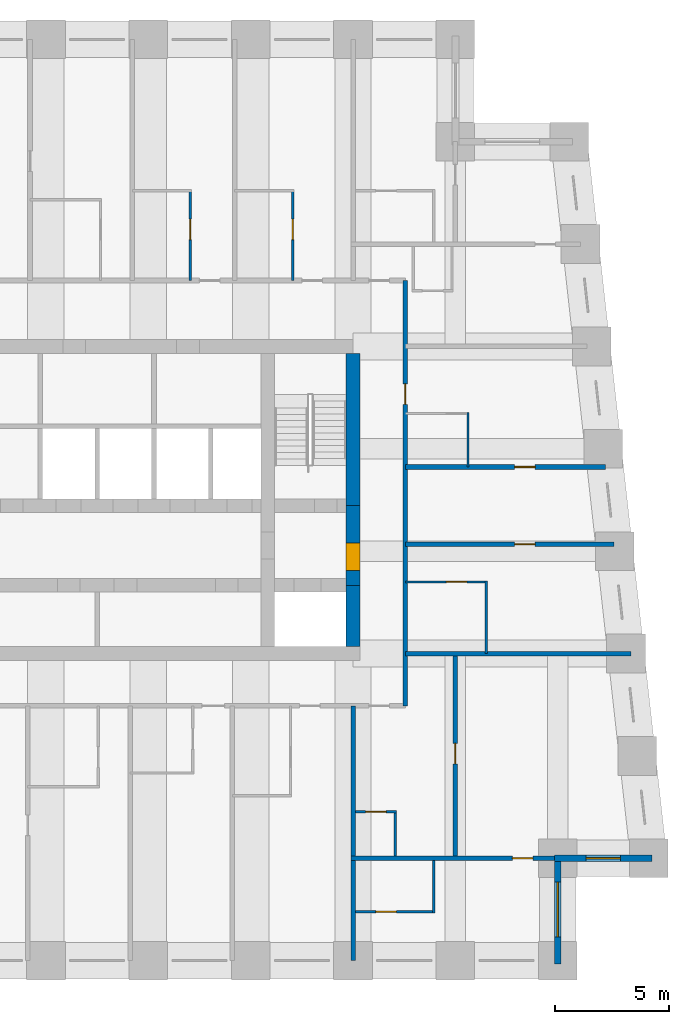
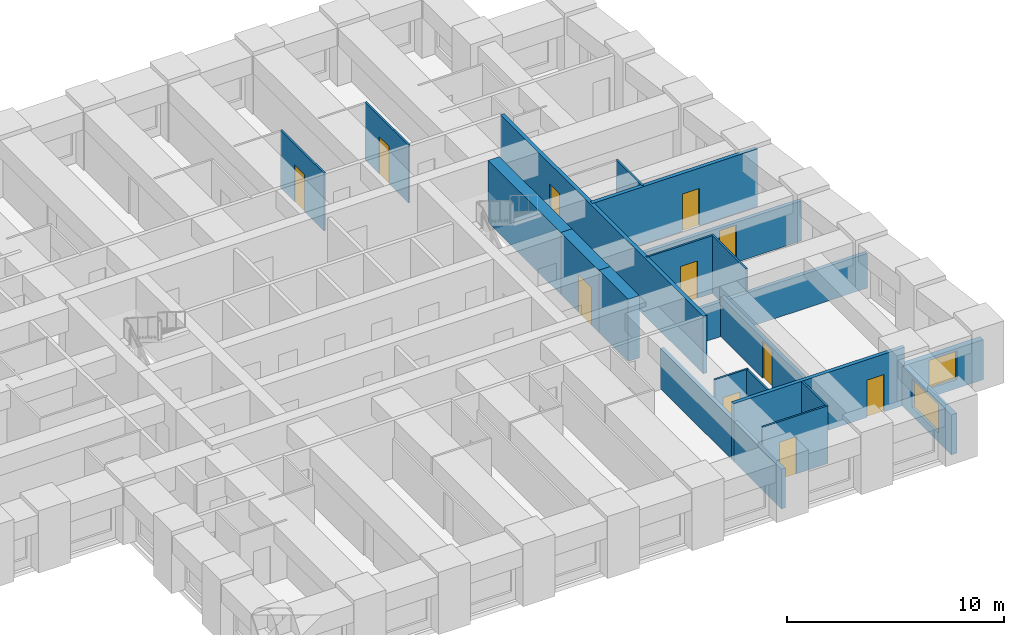
# One storey, part 5 of 8: 21 walls, 11 doors, 2 windows, 13 openings.
"""IFC4 building model written with IfcOpenShell, lengths in metres."""

from ifc_helpers import new_model, si_unit, direction, frame, frame_2d, origin, place, context, subcontext, project, spatial, rectangle, extrude, material, layer, layer_set, type_object, element, fill, save


model = new_model("IFC4")

# Units and contexts
model_context = context("Model", 3, precision=1e-05, world=origin(), true_north=direction((0.0, 1.0)))
body_context = subcontext(model_context, "Body", "Model", "MODEL_VIEW")
ifc_project = project(units=[si_unit("LENGTHUNIT", "METRE"), si_unit("AREAUNIT", "SQUARE_METRE"), si_unit("VOLUMEUNIT", "CUBIC_METRE"), si_unit("PLANEANGLEUNIT", "RADIAN"), si_unit("MASSUNIT", "GRAM", prefix="KILO")], contexts=[model_context])

# Site, building, storey
site_placement = place(None, origin())
site = spatial("IfcSite", under=ifc_project, at=site_placement, CompositionType="ELEMENT")
building_placement = place(site_placement, origin())
building = spatial("IfcBuilding", under=site, at=building_placement, Name="Kilele Tower Hotel", CompositionType="ELEMENT")
storey_placement = place(building_placement, frame((0.0, 0.0, 179.89990234375)))
storey = spatial("IfcBuildingStorey", under=building, at=storey_placement, Name="L46", CompositionType="ELEMENT", Elevation=179.89990234375)

# Wall
ifc_material_1 = material(Name="Moisture-resistant board")
ifc_layer_1 = layer(ifc_material_1, 0.10009765625)
ifc_layer_set_1 = layer_set([ifc_layer_1], Name="Moisture-resistant board")
wall_type_1 = type_object("IfcWallType", Name="Bathroom partition 100", PredefinedType="PLUMBINGWALL", material=ifc_layer_set_1)
wall_1_placement = place(storey_placement, frame((41.85009765625, 13.5, 0.0), z_axis=(0.0, 0.0, 1.0), x_axis=(0.0, 1.0, 0.0)))
element("IfcWall", 1, at=wall_1_placement, inside=storey, type_object=wall_type_1, Name="Bathroom partition 100 L46", PredefinedType="PLUMBINGWALL", context=body_context, shape_type="SweptSolid", body=[
    extrude(rectangle(XDim=3.199951171875, YDim=0.10009765625, at=frame_2d((1.60009765625, 0.0))), origin(), (0.0, 0.0, 1.0), 3.25),
])

# Wall, opening, door
wall_2_placement = place(storey_placement, frame((38.300048828125, 16.64990234375, 0.0), z_axis=(0.0, 0.0, 1.0), x_axis=(1.0, 0.0, 0.0)))
wall_2 = element("IfcWall", 2, at=wall_2_placement, inside=storey, type_object=wall_type_1, Name="Bathroom partition 100 L46", PredefinedType="PLUMBINGWALL", context=body_context, shape_type="SweptSolid", body=[
    extrude(rectangle(XDim=3.599853515625, YDim=0.10009765625, at=frame_2d((1.7998046875, 0.0))), origin(), (0.0, 0.0, 1.0), 3.25),
])
opening_1_placement = place(wall_2_placement, frame((1.800048828125, 0.0, 0.0)))
opening_1 = element("IfcOpeningElement", 3, at=opening_1_placement, cuts=wall_2, Name="Opening D2A", PredefinedType="OPENING", context=body_context, shape_type="SweptSolid", body=[
    extrude(rectangle(XDim=0.89990234375, YDim=2.10009765625, at=frame_2d((0.449951171875, 1.050048828125))), frame((0.0, 0.06005859375, 0.0), z_axis=(0.0, -1.0, 0.0), x_axis=(1.0, 0.0, 0.0)), (0.0, 0.0, 1.0), 0.1201171875),
])
ifc_material_2 = material(Name="Timber door leaf in hardwood frame", Category="wood")
door_type_1 = type_object("IfcDoorType", Name="Bathroom door 900", OperationType="SINGLE_SWING_LEFT", PredefinedType="DOOR", material=ifc_material_2)
door_1_placement = place(opening_1_placement, origin())
door_1 = element("IfcDoor", 4, at=door_1_placement, inside=storey, type_object=door_type_1, Name="Bathroom door 4606B", OperationType="SINGLE_SWING_RIGHT", OverallHeight=2.10009765625, OverallWidth=0.89990234375, PredefinedType="DOOR", context=body_context, shape_type="SweptSolid", body=[
    extrude(rectangle(XDim=0.89990234375, YDim=2.10009765625, at=frame_2d((0.449951171875, 1.050048828125))), frame((0.0, 0.02490234375, 0.0), z_axis=(0.0, -1.0, 0.0), x_axis=(1.0, 0.0, 0.0)), (0.0, 0.0, 1.0), 0.050048828125),
])
fill(opening_1, door_1)

# Wall
wall_3_placement = place(storey_placement, frame((41.050048828125, 21.699951171875, 0.0), z_axis=(0.0, 0.0, 1.0), x_axis=(0.0, 1.0, 0.0)))
element("IfcWall", 5, at=wall_3_placement, inside=storey, type_object=wall_type_1, Name="Bathroom partition 100 L46", PredefinedType="PLUMBINGWALL", context=body_context, shape_type="SweptSolid", body=[
    extrude(rectangle(XDim=2.400146484375, YDim=0.10009765625, at=frame_2d((1.2001953125, 0.0))), origin(), (0.0, 0.0, 1.0), 3.25),
])

# Wall, opening, door
wall_4_placement = place(storey_placement, frame((28.85009765625, 29.89990234375, 0.0), z_axis=(0.0, 0.0, 1.0), x_axis=(0.0, 1.0, 0.0)))
wall_4 = element("IfcWall", 6, at=wall_4_placement, inside=storey, type_object=wall_type_1, Name="Bathroom partition 100 L46", PredefinedType="PLUMBINGWALL", context=body_context, shape_type="SweptSolid", body=[
    extrude(rectangle(XDim=4.0, YDim=0.10009765625, at=frame_2d((2.0, 0.0))), origin(), (0.0, 0.0, 1.0), 3.25),
])
opening_2_placement = place(wall_4_placement, frame((2.699951171875, 0.0, 0.0), z_axis=(0.0, 0.0, 1.0), x_axis=(-1.0, 0.0, 0.0)))
opening_2 = element("IfcOpeningElement", 7, at=opening_2_placement, cuts=wall_4, Name="Opening D2A", PredefinedType="OPENING", context=body_context, shape_type="SweptSolid", body=[
    extrude(rectangle(XDim=0.89990234375, YDim=2.10009765625, at=frame_2d((0.449951171875, 1.050048828125))), frame((0.0, 0.06005859375, 0.0), z_axis=(0.0, -1.0, 0.0), x_axis=(1.0, 0.0, 0.0)), (0.0, 0.0, 1.0), 0.1201171875),
])
door_2_placement = place(opening_2_placement, origin())
door_2 = element("IfcDoor", 8, at=door_2_placement, inside=storey, type_object=door_type_1, Name="Bathroom door 4612B", OperationType="SINGLE_SWING_LEFT", OverallHeight=2.10009765625, OverallWidth=0.89990234375, PredefinedType="DOOR", context=body_context, shape_type="SweptSolid", body=[
    extrude(rectangle(XDim=0.89990234375, YDim=2.10009765625, at=frame_2d((0.449951171875, 1.050048828125))), frame((0.0, 0.02490234375, 0.0), z_axis=(0.0, -1.0, 0.0), x_axis=(1.0, 0.0, 0.0)), (0.0, 0.0, 1.0), 0.050048828125),
])
fill(opening_2, door_2)

wall_5_placement = place(storey_placement, frame((33.35009765625, 29.89990234375, 0.0), z_axis=(0.0, 0.0, 1.0), x_axis=(0.0, 1.0, 0.0)))
wall_5 = element("IfcWall", 9, at=wall_5_placement, inside=storey, type_object=wall_type_1, Name="Bathroom partition 100 L46", PredefinedType="PLUMBINGWALL", context=body_context, shape_type="SweptSolid", body=[
    extrude(rectangle(XDim=4.0, YDim=0.10009765625, at=frame_2d((2.0, 0.0))), origin(), (0.0, 0.0, 1.0), 3.25),
])
opening_3_placement = place(wall_5_placement, frame((2.699951171875, 0.0, 0.0), z_axis=(0.0, 0.0, 1.0), x_axis=(-1.0, 0.0, 0.0)))
opening_3 = element("IfcOpeningElement", 10, at=opening_3_placement, cuts=wall_5, Name="Opening D2A", PredefinedType="OPENING", context=body_context, shape_type="SweptSolid", body=[
    extrude(rectangle(XDim=0.89990234375, YDim=2.10009765625, at=frame_2d((0.449951171875, 1.050048828125))), frame((0.0, 0.06005859375, 0.0), z_axis=(0.0, -1.0, 0.0), x_axis=(1.0, 0.0, 0.0)), (0.0, 0.0, 1.0), 0.1201171875),
])
door_3_placement = place(opening_3_placement, origin())
door_3 = element("IfcDoor", 11, at=door_3_placement, inside=storey, type_object=door_type_1, Name="Bathroom door 4613B", OperationType="SINGLE_SWING_LEFT", OverallHeight=2.10009765625, OverallWidth=0.89990234375, PredefinedType="DOOR", context=body_context, shape_type="SweptSolid", body=[
    extrude(rectangle(XDim=0.89990234375, YDim=2.10009765625, at=frame_2d((0.449951171875, 1.050048828125))), frame((0.0, 0.02490234375, 0.0), z_axis=(0.0, -1.0, 0.0), x_axis=(1.0, 0.0, 0.0)), (0.0, 0.0, 1.0), 0.050048828125),
])
fill(opening_3, door_3)

# Wall
wall_6_placement = place(storey_placement, frame((37.85009765625, 4.60009765625, 0.0), z_axis=(0.0, 0.0, 1.0), x_axis=(0.0, 1.0, 0.0)))
element("IfcWall", 12, at=wall_6_placement, inside=storey, type_object=wall_type_1, Name="Bathroom partition 100 L46", PredefinedType="PLUMBINGWALL", context=body_context, shape_type="SweptSolid", body=[
    extrude(rectangle(XDim=2.0, YDim=0.10009765625, at=frame_2d((1.0, 0.0))), origin(), (0.0, 0.0, 1.0), 3.25),
])

# Wall, opening, door
wall_7_placement = place(storey_placement, frame((36.10009765625, 6.550048828125, 0.0), z_axis=(0.0, 0.0, 1.0), x_axis=(1.0, 0.0, 0.0)))
wall_7 = element("IfcWall", 13, at=wall_7_placement, inside=storey, type_object=wall_type_1, Name="Bathroom partition 100 L46", PredefinedType="PLUMBINGWALL", context=body_context, shape_type="SweptSolid", body=[
    extrude(rectangle(XDim=1.7998046875, YDim=0.10009765625, at=frame_2d((0.89990234375, 0.0))), origin(), (0.0, 0.0, 1.0), 3.25),
])
opening_4_placement = place(wall_7_placement, frame((0.449951171875, 0.0, 0.0)))
opening_4 = element("IfcOpeningElement", 14, at=opening_4_placement, cuts=wall_7, Name="Opening D2A", PredefinedType="OPENING", context=body_context, shape_type="SweptSolid", body=[
    extrude(rectangle(XDim=0.89990234375, YDim=2.10009765625, at=frame_2d((0.449951171875, 1.050048828125))), frame((0.0, 0.06005859375, 0.0), z_axis=(0.0, -1.0, 0.0), x_axis=(1.0, 0.0, 0.0)), (0.0, 0.0, 1.0), 0.1201171875),
])
door_4_placement = place(opening_4_placement, origin())
door_4 = element("IfcDoor", 15, at=door_4_placement, inside=storey, type_object=door_type_1, Name="Bathroom door 4619P", OperationType="SINGLE_SWING_LEFT", OverallHeight=2.10009765625, OverallWidth=0.89990234375, PredefinedType="DOOR", context=body_context, shape_type="SweptSolid", body=[
    extrude(rectangle(XDim=0.89990234375, YDim=2.10009765625, at=frame_2d((0.449951171875, 1.050048828125))), frame((0.0, 0.02490234375, 0.0), z_axis=(0.0, -1.0, 0.0), x_axis=(1.0, 0.0, 0.0)), (0.0, 0.0, 1.0), 0.050048828125),
])
fill(opening_4, door_4)

# Wall
wall_8_placement = place(storey_placement, frame((39.550048828125, 4.39990234375, 0.0), z_axis=(0.0, 0.0, 1.0), x_axis=(0.0, -1.0, 0.0)))
element("IfcWall", 16, at=wall_8_placement, inside=storey, type_object=wall_type_1, Name="Bathroom partition 100 L46", PredefinedType="PLUMBINGWALL", context=body_context, shape_type="SweptSolid", body=[
    extrude(rectangle(XDim=2.2998046875, YDim=0.10009765625, at=frame_2d((1.14990234375, 0.0))), origin(), (0.0, 0.0, 1.0), 3.25),
])

# Wall, opening, door
wall_9_placement = place(storey_placement, frame((36.10009765625, 2.14990234375, 0.0), z_axis=(0.0, 0.0, 1.0), x_axis=(1.0, 0.0, 0.0)))
wall_9 = element("IfcWall", 17, at=wall_9_placement, inside=storey, type_object=wall_type_1, Name="Bathroom partition 100 L46", PredefinedType="PLUMBINGWALL", context=body_context, shape_type="SweptSolid", body=[
    extrude(rectangle(XDim=3.5, YDim=0.10009765625, at=frame_2d((1.75, 0.0))), origin(), (0.0, 0.0, 1.0), 3.25),
])
opening_5_placement = place(wall_9_placement, frame((1.7998046875, 0.0, 0.0), z_axis=(0.0, 0.0, 1.0), x_axis=(-1.0, 0.0, 0.0)))
opening_5 = element("IfcOpeningElement", 18, at=opening_5_placement, cuts=wall_9, Name="Opening D2A", PredefinedType="OPENING", context=body_context, shape_type="SweptSolid", body=[
    extrude(rectangle(XDim=0.89990234375, YDim=2.10009765625, at=frame_2d((0.449951171875, 1.050048828125))), frame((0.0, 0.06005859375, 0.0), z_axis=(0.0, -1.0, 0.0), x_axis=(1.0, 0.0, 0.0)), (0.0, 0.0, 1.0), 0.1201171875),
])
door_5_placement = place(opening_5_placement, origin())
door_5 = element("IfcDoor", 19, at=door_5_placement, inside=storey, type_object=door_type_1, Name="Bathroom door 4621B", OperationType="SINGLE_SWING_RIGHT", OverallHeight=2.10009765625, OverallWidth=0.89990234375, PredefinedType="DOOR", context=body_context, shape_type="SweptSolid", body=[
    extrude(rectangle(XDim=0.89990234375, YDim=2.10009765625, at=frame_2d((0.449951171875, 1.050048828125))), frame((0.0, 0.02490234375, 0.0), z_axis=(0.0, -1.0, 0.0), x_axis=(1.0, 0.0, 0.0)), (0.0, 0.0, 1.0), 0.050048828125),
])
fill(opening_5, door_5)

# Wall
ifc_material_3 = material(Name="Concrete C70/85", Category="concrete")
ifc_layer_2 = layer(ifc_material_3, 0.60009765625)
ifc_layer_set_2 = layer_set([ifc_layer_2], Name="Concrete C70/85")
wall_type_2 = type_object("IfcWallType", Name="Core wall 600 C70/85", PredefinedType="SHEAR", material=ifc_layer_set_2)
wall_10_placement = place(storey_placement, frame((36.0, 13.800048828125, 0.0), z_axis=(0.0, 0.0, 1.0), x_axis=(0.0, 1.0, 0.0)))
element("IfcWall", 20, at=wall_10_placement, inside=storey, type_object=wall_type_2, Name="Core wall E1 L46", PredefinedType="SHEAR", context=body_context, shape_type="SweptSolid", body=[
    extrude(rectangle(XDim=2.699951171875, YDim=0.60009765625, at=frame_2d((1.35009765625, 0.0))), origin(), (0.0, 0.0, 1.0), 3.5),
])

# Wall, opening, door
wall_11_placement = place(storey_placement, frame((36.0, 16.5, 0.0), z_axis=(0.0, 0.0, 1.0), x_axis=(0.0, 1.0, 0.0)))
wall_11 = element("IfcWall", 21, at=wall_11_placement, inside=storey, type_object=wall_type_2, Name="Core wall E2 L46", PredefinedType="SHEAR", context=body_context, shape_type="SweptSolid", body=[
    extrude(rectangle(XDim=3.5, YDim=0.60009765625, at=frame_2d((1.75, 0.0))), origin(), (0.0, 0.0, 1.0), 3.5),
])
opening_6_placement = place(wall_11_placement, frame((0.64990234375, 0.0, 0.0)))
opening_6 = element("IfcOpeningElement", 22, at=opening_6_placement, cuts=wall_11, Name="Opening D4", PredefinedType="OPENING", context=body_context, shape_type="SweptSolid", body=[
    extrude(rectangle(XDim=1.199951171875, YDim=2.10009765625, at=frame_2d((0.60009765625, 1.050048828125))), frame((0.0, 0.31005859375, 0.0), z_axis=(0.0, -1.0, 0.0), x_axis=(1.0, 0.0, 0.0)), (0.0, 0.0, 1.0), 0.6201171875),
])
ifc_material_4 = material(Name="Timber door leaf in hardwood frame", Category="wood")
door_type_2 = type_object("IfcDoorType", Name="Firefighting lobby door 1200", OperationType="SINGLE_SWING_LEFT", PredefinedType="DOOR", material=ifc_material_4)
door_6_placement = place(opening_6_placement, origin())
door_6 = element("IfcDoor", 23, at=door_6_placement, inside=storey, type_object=door_type_2, Name="Lobby door L46", OperationType="SINGLE_SWING_LEFT", OverallHeight=2.10009765625, OverallWidth=1.199951171875, PredefinedType="DOOR", context=body_context, shape_type="SweptSolid", body=[
    extrude(rectangle(XDim=1.199951171875, YDim=2.10009765625, at=frame_2d((0.60009765625, 1.050048828125))), frame((0.0, 0.2998046875, 0.0), z_axis=(0.0, -1.0, 0.0), x_axis=(1.0, 0.0, 0.0)), (0.0, 0.0, 1.0), 0.599609375),
])
fill(opening_6, door_6)

# Wall
wall_12_placement = place(storey_placement, frame((36.0, 20.0, 0.0), z_axis=(0.0, 0.0, 1.0), x_axis=(0.0, 1.0, 0.0)))
element("IfcWall", 24, at=wall_12_placement, inside=storey, type_object=wall_type_2, Name="Core wall E3 L46", PredefinedType="SHEAR", context=body_context, shape_type="SweptSolid", body=[
    extrude(rectangle(XDim=6.699951171875, YDim=0.60009765625, at=frame_2d((3.35009765625, 0.0))), origin(), (0.0, 0.0, 1.0), 3.5),
])

# Wall, opening, door
ifc_material_5 = material(Name="Blockwork, plastered both sides", Category="masonry")
ifc_layer_3 = layer(ifc_material_5, 0.199951171875)
ifc_layer_set_3 = layer_set([ifc_layer_3], Name="Blockwork, plastered both sides")
wall_type_3 = type_object("IfcWallType", Name="Corridor wall 200", PredefinedType="PARTITIONING", material=ifc_layer_set_3)
wall_13_placement = place(storey_placement, frame((38.300048828125, 11.199951171875, 0.0), z_axis=(0.0, 0.0, 1.0), x_axis=(0.0, 1.0, 0.0)))
wall_13 = element("IfcWall", 25, at=wall_13_placement, inside=storey, type_object=wall_type_3, Name="Corridor wall 200 L46", PredefinedType="PARTITIONING", context=body_context, shape_type="SweptSolid", body=[
    extrude(rectangle(XDim=18.699951171875, YDim=0.199951171875, at=frame_2d((9.35009765625, 0.0))), origin(), (0.0, 0.0, 1.0), 3.25),
])
opening_7_placement = place(wall_13_placement, frame((14.14990234375, 0.0, 0.0), z_axis=(0.0, 0.0, 1.0), x_axis=(-1.0, 0.0, 0.0)))
opening_7 = element("IfcOpeningElement", 26, at=opening_7_placement, cuts=wall_13, Name="Opening D1", PredefinedType="OPENING", context=body_context, shape_type="SweptSolid", body=[
    extrude(rectangle(XDim=0.89990234375, YDim=2.10009765625, at=frame_2d((0.449951171875, 1.050048828125))), frame((0.0, 0.10986328125, 0.0), z_axis=(0.0, -1.0, 0.0), x_axis=(1.0, 0.0, 0.0)), (0.0, 0.0, 1.0), 0.219970703125),
])
ifc_material_6 = material(Name="Timber door leaf in hardwood frame", Category="wood")
door_type_3 = type_object("IfcDoorType", Name="Guest room entrance door 900", OperationType="SINGLE_SWING_LEFT", PredefinedType="DOOR", material=ifc_material_6)
door_7_placement = place(opening_7_placement, origin())
door_7 = element("IfcDoor", 27, at=door_7_placement, inside=storey, type_object=door_type_3, Name="Room entrance 4608", OperationType="SINGLE_SWING_RIGHT", OverallHeight=2.10009765625, OverallWidth=0.89990234375, PredefinedType="DOOR", context=body_context, shape_type="SweptSolid", body=[
    extrude(rectangle(XDim=0.89990234375, YDim=2.10009765625, at=frame_2d((0.449951171875, 1.050048828125))), frame((0.0, 0.02490234375, 0.0), z_axis=(0.0, -1.0, 0.0), x_axis=(1.0, 0.0, 0.0)), (0.0, 0.0, 1.0), 0.050048828125),
])
fill(opening_7, door_7)

ifc_material_7 = material(Name="Blockwork, plastered both sides", Category="masonry")
ifc_layer_4 = layer(ifc_material_7, 0.199951171875)
ifc_layer_set_4 = layer_set([ifc_layer_4], Name="Blockwork, plastered both sides")
wall_type_4 = type_object("IfcWallType", Name="Partition wall 200", PredefinedType="PARTITIONING", material=ifc_layer_set_4)
wall_14_placement = place(storey_placement, frame((40.5, 4.60009765625, 0.0), z_axis=(0.0, 0.0, 1.0), x_axis=(0.0, 1.0, 0.0)))
wall_14 = element("IfcWall", 28, at=wall_14_placement, inside=storey, type_object=wall_type_4, Name="Partition wall 200 L46", PredefinedType="PARTITIONING", context=body_context, shape_type="SweptSolid", body=[
    extrude(rectangle(XDim=8.7998046875, YDim=0.199951171875, at=frame_2d((4.39990234375, 0.0))), origin(), (0.0, 0.0, 1.0), 2.25),
])
opening_8_placement = place(wall_14_placement, frame((4.050048828125, 0.0, 0.0)))
opening_8 = element("IfcOpeningElement", 29, at=opening_8_placement, cuts=wall_14, Name="Opening D3", PredefinedType="OPENING", context=body_context, shape_type="SweptSolid", body=[
    extrude(rectangle(XDim=0.89990234375, YDim=2.10009765625, at=frame_2d((0.449951171875, 1.050048828125))), frame((0.0, 0.10986328125, 0.0), z_axis=(0.0, -1.0, 0.0), x_axis=(1.0, 0.0, 0.0)), (0.0, 0.0, 1.0), 0.219970703125),
])
ifc_material_8 = material(Name="Timber door leaf in hardwood frame", Category="wood")
door_type_4 = type_object("IfcDoorType", Name="Suite internal door 900", OperationType="SINGLE_SWING_LEFT", PredefinedType="DOOR", material=ifc_material_8)
door_8_placement = place(opening_8_placement, origin())
door_8 = element("IfcDoor", 30, at=door_8_placement, inside=storey, type_object=door_type_4, Name="Suite door 4620", OperationType="SINGLE_SWING_RIGHT", OverallHeight=2.10009765625, OverallWidth=0.89990234375, PredefinedType="DOOR", context=body_context, shape_type="SweptSolid", body=[
    extrude(rectangle(XDim=0.89990234375, YDim=2.10009765625, at=frame_2d((0.449951171875, 1.050048828125))), frame((0.0, 0.02490234375, 0.0), z_axis=(0.0, -1.0, 0.0), x_axis=(1.0, 0.0, 0.0)), (0.0, 0.0, 1.0), 0.050048828125),
])
fill(opening_8, door_8)

ifc_material_9 = material(Name="Blockwork, plastered both sides", Category="masonry")
ifc_layer_5 = layer(ifc_material_9, 0.199951171875)
ifc_layer_set_5 = layer_set([ifc_layer_5], Name="Blockwork, plastered both sides")
wall_type_5 = type_object("IfcWallType", Name="Party wall 200", PredefinedType="PARTITIONING", material=ifc_layer_set_5)
wall_15_placement = place(storey_placement, frame((38.300048828125, 18.300048828125, 0.0), z_axis=(0.0, 0.0, 1.0), x_axis=(1.0, 0.0, 0.0)))
wall_15 = element("IfcWall", 31, at=wall_15_placement, inside=storey, type_object=wall_type_5, Name="Party wall 200 L46", PredefinedType="PARTITIONING", context=body_context, shape_type="SweptSolid", body=[
    extrude(rectangle(XDim=9.165771484375, YDim=0.199951171875, at=frame_2d((4.5830078125, 0.0))), origin(), (0.0, 0.0, 1.0), 2.25),
])
opening_9_placement = place(wall_15_placement, frame((4.800048828125, 0.0, 0.0)))
opening_9 = element("IfcOpeningElement", 32, at=opening_9_placement, cuts=wall_15, Name="Opening D3", PredefinedType="OPENING", context=body_context, shape_type="SweptSolid", body=[
    extrude(rectangle(XDim=0.89990234375, YDim=2.10009765625, at=frame_2d((0.449951171875, 1.050048828125))), frame((0.0, 0.10986328125, 0.0), z_axis=(0.0, -1.0, 0.0), x_axis=(1.0, 0.0, 0.0)), (0.0, 0.0, 1.0), 0.219970703125),
])
door_9_placement = place(opening_9_placement, origin())
door_9 = element("IfcDoor", 33, at=door_9_placement, inside=storey, type_object=door_type_4, Name="Suite door 4607", OperationType="SINGLE_SWING_RIGHT", OverallHeight=2.10009765625, OverallWidth=0.89990234375, PredefinedType="DOOR", context=body_context, shape_type="SweptSolid", body=[
    extrude(rectangle(XDim=0.89990234375, YDim=2.10009765625, at=frame_2d((0.449951171875, 1.050048828125))), frame((0.0, 0.02490234375, 0.0), z_axis=(0.0, -1.0, 0.0), x_axis=(1.0, 0.0, 0.0)), (0.0, 0.0, 1.0), 0.050048828125),
])
fill(opening_9, door_9)

wall_16_placement = place(storey_placement, frame((38.300048828125, 21.699951171875, 0.0), z_axis=(0.0, 0.0, 1.0), x_axis=(1.0, 0.0, 0.0)))
wall_16 = element("IfcWall", 34, at=wall_16_placement, inside=storey, type_object=wall_type_5, Name="Party wall 200 L46", PredefinedType="PARTITIONING", context=body_context, shape_type="SweptSolid", body=[
    extrude(rectangle(XDim=8.787841796875, YDim=0.199951171875, at=frame_2d((4.39404296875, 0.0))), origin(), (0.0, 0.0, 1.0), 3.25),
])
opening_10_placement = place(wall_16_placement, frame((4.800048828125, 0.0, 0.0)))
opening_10 = element("IfcOpeningElement", 35, at=opening_10_placement, cuts=wall_16, Name="Opening D3", PredefinedType="OPENING", context=body_context, shape_type="SweptSolid", body=[
    extrude(rectangle(XDim=0.89990234375, YDim=2.10009765625, at=frame_2d((0.449951171875, 1.050048828125))), frame((0.0, 0.10986328125, 0.0), z_axis=(0.0, -1.0, 0.0), x_axis=(1.0, 0.0, 0.0)), (0.0, 0.0, 1.0), 0.219970703125),
])
door_10_placement = place(opening_10_placement, origin())
door_10 = element("IfcDoor", 36, at=door_10_placement, inside=storey, type_object=door_type_4, Name="Suite door 4608", OperationType="SINGLE_SWING_RIGHT", OverallHeight=2.10009765625, OverallWidth=0.89990234375, PredefinedType="DOOR", context=body_context, shape_type="SweptSolid", body=[
    extrude(rectangle(XDim=0.89990234375, YDim=2.10009765625, at=frame_2d((0.449951171875, 1.050048828125))), frame((0.0, 0.02490234375, 0.0), z_axis=(0.0, -1.0, 0.0), x_axis=(1.0, 0.0, 0.0)), (0.0, 0.0, 1.0), 0.050048828125),
])
fill(opening_10, door_10)

# Walls
wall_17_placement = place(storey_placement, frame((38.300048828125, 13.5, 0.0), z_axis=(0.0, 0.0, 1.0), x_axis=(1.0, 0.0, 0.0)))
element("IfcWall", 37, at=wall_17_placement, inside=storey, type_object=wall_type_5, Name="Party wall 200 L46", PredefinedType="PARTITIONING", context=body_context, shape_type="SweptSolid", body=[
    extrude(rectangle(XDim=9.921142578125, YDim=0.199951171875, at=frame_2d((4.96044921875, 0.0))), origin(), (0.0, 0.0, 1.0), 1.9501953125),
])
wall_18_placement = place(storey_placement, frame((36.0, 11.199951171875, 0.0), z_axis=(0.0, 0.0, 1.0), x_axis=(0.0, -1.0, 0.0)))
element("IfcWall", 38, at=wall_18_placement, inside=storey, type_object=wall_type_5, Name="Party wall 200 L46", PredefinedType="PARTITIONING", context=body_context, shape_type="SweptSolid", body=[
    extrude(rectangle(XDim=11.199951171875, YDim=0.199951171875, at=frame_2d((5.60009765625, 0.0))), origin(), (0.0, 0.0, 1.0), 2.25),
])

# Wall, opening, door
wall_19_placement = place(storey_placement, frame((35.89990234375, 4.5, 0.0), z_axis=(0.0, 0.0, 1.0), x_axis=(1.0, 0.0, 0.0)))
wall_19 = element("IfcWall", 39, at=wall_19_placement, inside=storey, type_object=wall_type_5, Name="Party wall 200 L46", PredefinedType="PARTITIONING", context=body_context, shape_type="SweptSolid", body=[
    extrude(rectangle(XDim=9.10009765625, YDim=0.199951171875, at=frame_2d((4.550048828125, 0.0))), origin(), (0.0, 0.0, 1.0), 3.25),
])
opening_11_placement = place(wall_19_placement, frame((7.10009765625, 0.0, 0.0)))
opening_11 = element("IfcOpeningElement", 40, at=opening_11_placement, cuts=wall_19, Name="Opening D3", PredefinedType="OPENING", context=body_context, shape_type="SweptSolid", body=[
    extrude(rectangle(XDim=0.89990234375, YDim=2.10009765625, at=frame_2d((0.449951171875, 1.050048828125))), frame((0.0, 0.10986328125, 0.0), z_axis=(0.0, -1.0, 0.0), x_axis=(1.0, 0.0, 0.0)), (0.0, 0.0, 1.0), 0.219970703125),
])
door_11_placement = place(opening_11_placement, origin())
door_11 = element("IfcDoor", 41, at=door_11_placement, inside=storey, type_object=door_type_4, Name="Suite door 4621", OperationType="SINGLE_SWING_RIGHT", OverallHeight=2.10009765625, OverallWidth=0.89990234375, PredefinedType="DOOR", context=body_context, shape_type="SweptSolid", body=[
    extrude(rectangle(XDim=0.89990234375, YDim=2.10009765625, at=frame_2d((0.449951171875, 1.050048828125))), frame((0.0, 0.02490234375, 0.0), z_axis=(0.0, -1.0, 0.0), x_axis=(1.0, 0.0, 0.0)), (0.0, 0.0, 1.0), 0.050048828125),
])
fill(opening_11, door_11)

# Wall, opening, window
ifc_material_10 = material(Name="Concrete C40/50 precast", Category="concrete")
ifc_layer_6 = layer(ifc_material_10, 0.260009765625, Name="Precast backing", Category="LoadBearing")
ifc_material_11 = material(Name="Reconstituted stone finish", Category="masonry")
ifc_layer_7 = layer(ifc_material_11, 0.0400390625, Name="Face mix", Category="Finish")
ifc_layer_set_6 = layer_set([ifc_layer_6, ifc_layer_7], Name="Precast concrete C40/50, reconstituted stone finish")
wall_type_6 = type_object("IfcWallType", Name="Precast stone facade wall 300", PredefinedType="STANDARD", material=ifc_layer_set_6)
wall_20_placement = place(storey_placement, frame((45.0, -0.14990234375, 0.0), z_axis=(0.0, 0.0, 1.0), x_axis=(0.0, 1.0, 0.0)))
wall_20 = element("IfcWall", 42, at=wall_20_placement, inside=storey, type_object=wall_type_6, Name="Facade wall L46 edge 4", PredefinedType="STANDARD", context=body_context, shape_type="SweptSolid", body=[
    extrude(rectangle(XDim=4.7998046875, YDim=0.300048828125, at=frame_2d((2.39990234375, 0.0))), origin(), (0.0, 0.0, 1.0), 2.25),
])
opening_12_placement = place(wall_20_placement, frame((1.199951171875, 0.0, 0.5)))
opening_12 = element("IfcOpeningElement", 43, at=opening_12_placement, cuts=wall_20, Name="Opening W3", PredefinedType="OPENING", context=body_context, shape_type="SweptSolid", body=[
    extrude(rectangle(XDim=2.39990234375, YDim=1.60009765625, at=frame_2d((1.199951171875, 0.800048828125))), frame((0.0, 0.159912109375, 0.0), z_axis=(0.0, -1.0, 0.0), x_axis=(1.0, 0.0, 0.0)), (0.0, 0.0, 1.0), 0.320068359375),
])
ifc_material_12 = material(Name="Aluminium frame, clear double glazing", Category="aluminium")
window_type_1 = type_object("IfcWindowType", Name="Window W3 2400 x 1600", PartitioningType="SINGLE_PANEL", PredefinedType="WINDOW", material=ifc_material_12)
window_1_placement = place(opening_12_placement, origin())
window_1 = element("IfcWindow", 44, at=window_1_placement, inside=storey, type_object=window_type_1, Name="Window L46", OverallHeight=1.60009765625, OverallWidth=2.39990234375, PartitioningType="SINGLE_PANEL", PredefinedType="WINDOW", context=body_context, shape_type="SweptSolid", body=[
    extrude(rectangle(XDim=2.39990234375, YDim=1.60009765625, at=frame_2d((1.199951171875, 0.800048828125))), frame((0.0, 0.030029296875, 0.0), z_axis=(0.0, -1.0, 0.0), x_axis=(1.0, 0.0, 0.0)), (0.0, 0.0, 1.0), 0.06005859375),
])
fill(opening_12, window_1)

wall_21_placement = place(storey_placement, frame((44.85009765625, 4.5, 0.0), z_axis=(0.0, 0.0, 1.0), x_axis=(1.0, 0.0, 0.0)))
wall_21 = element("IfcWall", 45, at=wall_21_placement, inside=storey, type_object=wall_type_6, Name="Facade wall L46 edge 5", PredefinedType="STANDARD", context=body_context, shape_type="SweptSolid", body=[
    extrude(rectangle(XDim=4.2998046875, YDim=0.300048828125, at=frame_2d((2.14990234375, 0.0))), origin(), (0.0, 0.0, 1.0), 2.25),
])
opening_13_placement = place(wall_21_placement, frame((1.39990234375, 0.0, 0.5)))
opening_13 = element("IfcOpeningElement", 46, at=opening_13_placement, cuts=wall_21, Name="Opening W3", PredefinedType="OPENING", context=body_context, shape_type="SweptSolid", body=[
    extrude(rectangle(XDim=1.5, YDim=1.60009765625, at=frame_2d((0.75, 0.800048828125))), frame((0.0, 0.159912109375, 0.0), z_axis=(0.0, -1.0, 0.0), x_axis=(1.0, 0.0, 0.0)), (0.0, 0.0, 1.0), 0.320068359375),
])
ifc_material_13 = material(Name="Aluminium frame, clear double glazing", Category="aluminium")
window_type_2 = type_object("IfcWindowType", Name="Window W3 1500 x 1600", PartitioningType="SINGLE_PANEL", PredefinedType="WINDOW", material=ifc_material_13)
window_2_placement = place(opening_13_placement, origin())
window_2 = element("IfcWindow", 47, at=window_2_placement, inside=storey, type_object=window_type_2, Name="Window L46", OverallHeight=1.60009765625, OverallWidth=1.5, PartitioningType="SINGLE_PANEL", PredefinedType="WINDOW", context=body_context, shape_type="SweptSolid", body=[
    extrude(rectangle(XDim=1.5, YDim=1.60009765625, at=frame_2d((0.75, 0.800048828125))), frame((0.0, 0.030029296875, 0.0), z_axis=(0.0, -1.0, 0.0), x_axis=(1.0, 0.0, 0.0)), (0.0, 0.0, 1.0), 0.06005859375),
])
fill(opening_13, window_2)

save(model, "model.ifc")
